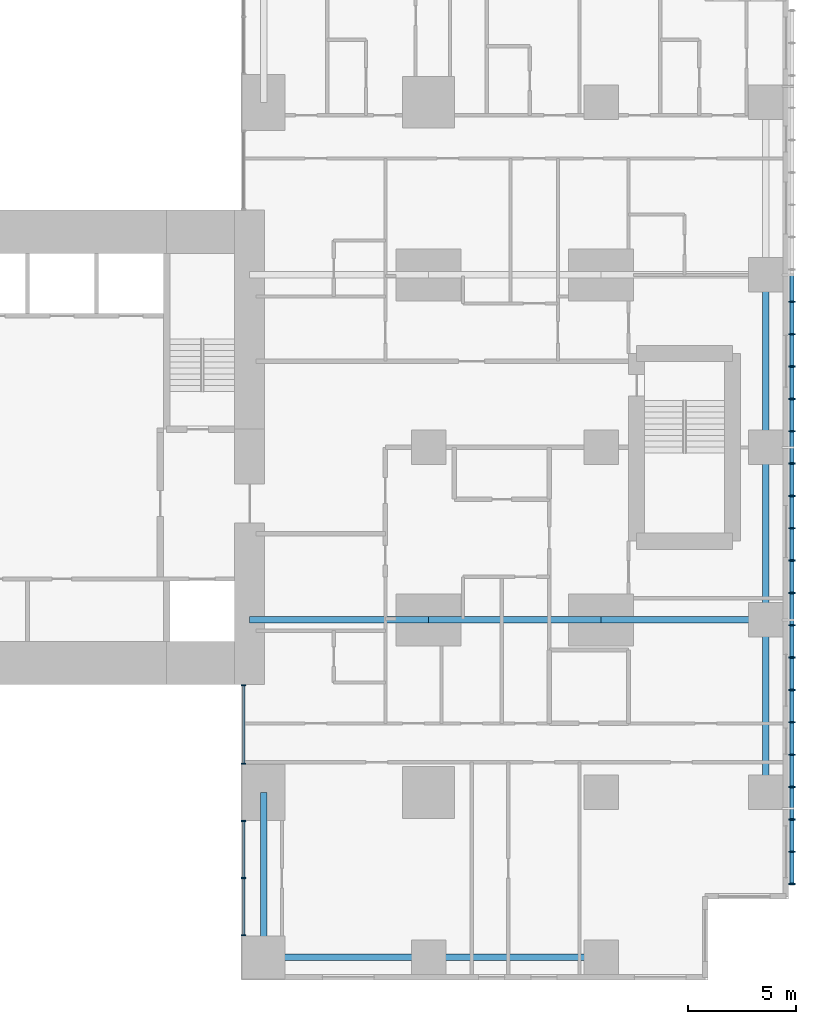
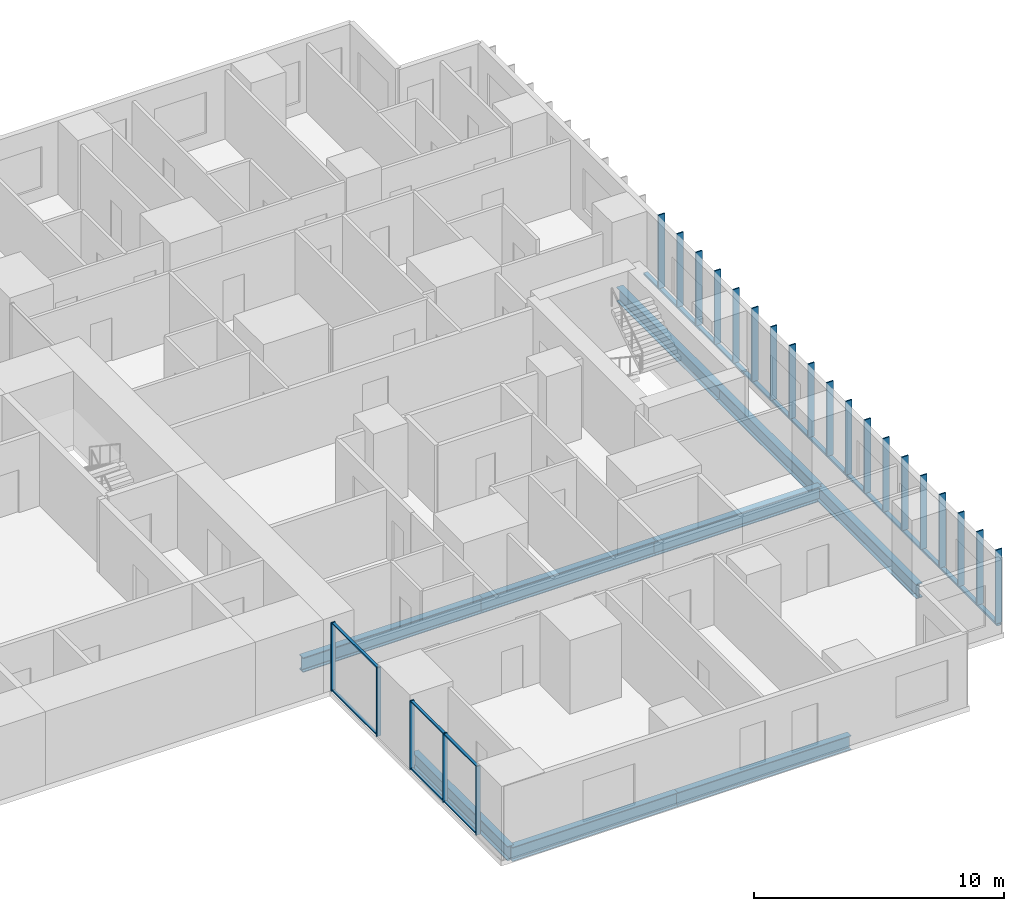
# One storey, part 2 of 12: 33 members, 9 beams, 2 elements without a shape of their own.
"""IFC4 building model written with IfcOpenShell, lengths in metres."""

from ifc_helpers import new_model, si_unit, direction, frame, origin, origin_2d, place, context, subcontext, project, spatial, rectangle, hollow_rectangle, i_section, extrude, material, layer, layer_set, material_profile, profile_set, type_object, element, aggregate, save


model = new_model("IFC4")

# Units and contexts
model_context = context("Model", 3, precision=1e-05, world=origin(), true_north=direction((0.0, 1.0)))
body_context = subcontext(model_context, "Body", "Model", "MODEL_VIEW")
ifc_project = project(units=[si_unit("LENGTHUNIT", "METRE"), si_unit("AREAUNIT", "SQUARE_METRE"), si_unit("VOLUMEUNIT", "CUBIC_METRE"), si_unit("PLANEANGLEUNIT", "RADIAN"), si_unit("MASSUNIT", "GRAM", prefix="KILO")], contexts=[model_context])

# Site, building, storey
site_placement = place(None, origin())
site = spatial("IfcSite", under=ifc_project, at=site_placement, CompositionType="ELEMENT")
building_placement = place(site_placement, origin())
building = spatial("IfcBuilding", under=site, at=building_placement, Name="Cleftline Residences", CompositionType="ELEMENT")
storey_placement = place(building_placement, frame((0.0, 0.0, 259.199951171875)))
storey = spatial("IfcBuildingStorey", under=building, at=storey_placement, Name="L68", CompositionType="ELEMENT", Elevation=259.199951171875)

# Members
ifc_material_1 = material(Name="Steel S355, hot-dip galvanised", Category="steel")
ifc_material_profile_1 = material_profile(ifc_material_1, hollow_rectangle(XDim=0.10009765625, YDim=0.199951171875, WallThickness=0.008056640625, InnerFilletRadius=0.008056640625, OuterFilletRadius=0.011962890625, at=origin_2d()))
ifc_profile_set_1 = profile_set([ifc_material_profile_1], Name="Steel S355, hot-dip galvanised")
member_type_1 = type_object("IfcMemberType", Name="BAGUETTE CARRIER RHS 200X100X8", PredefinedType="USERDEFINED", material=ifc_profile_set_1)
member_1_placement = place(storey_placement, frame((66.85009765625, 3.699951171875, -0.050048828125), z_axis=(0.0, 1.0, 0.0), x_axis=(0.0, 0.0, 1.0)))
element("IfcMember", 1, at=member_1_placement, inside=storey, type_object=member_type_1, Name="Baguette carrier", ObjectType="BAGUETTE CARRIER", PredefinedType="USERDEFINED", context=body_context, shape_type="SweptSolid", body=[
    extrude(hollow_rectangle(XDim=0.10009765625, YDim=0.199951171875, WallThickness=0.008056640625, InnerFilletRadius=0.008056640625, OuterFilletRadius=0.011962890625, at=origin_2d()), origin(), (0.0, 0.0, 1.0), 12.300048828125),
])
for number, where, z_axis, x_axis, name in (
    (2, (66.85009765625, 16.0, -0.050048828125), (0.0, 1.0, 0.0), (0.0, 0.0, 1.0), "Baguette carrier"),
    (3, (66.85009765625, 24.0, -0.050048828125), (0.0, 1.0, 0.0), (0.0, 0.0, 1.0), "Baguette carrier"),
):
    element("IfcMember", number, at=place(storey_placement, frame(where, z_axis=z_axis, x_axis=x_axis)), inside=storey, type_object=member_type_1, Name=name, ObjectType="BAGUETTE CARRIER", PredefinedType="USERDEFINED", context=body_context, shape_type="SweptSolid", body=[
        extrude(hollow_rectangle(XDim=0.10009765625, YDim=0.199951171875, WallThickness=0.008056640625, InnerFilletRadius=0.008056640625, OuterFilletRadius=0.011962890625, at=origin_2d()), origin(), (0.0, 0.0, 1.0), 8.0),
    ])

# Beams
ifc_material_2 = material(Name="Steel S355", Category="steel")
ifc_material_profile_2 = material_profile(ifc_material_2, i_section(OverallWidth=0.300048828125, OverallDepth=0.699951171875, WebThickness=0.01708984375, FlangeThickness=0.031982421875, FilletRadius=0.027099609375, at=origin_2d()))
ifc_profile_set_2 = profile_set([ifc_material_profile_2], Name="Steel S355")
beam_type_1 = type_object("IfcBeamType", Name="BEAM HEB 700", PredefinedType="BEAM", material=ifc_profile_set_2)
for number, where, z_axis, x_axis, name in (
    (4, (65.64990234375, 8.0, -0.599853515625), (0.0, 1.0, 0.0), (-1.0, 0.0, 0.0), "Edge beam"),
    (5, (65.64990234375, 16.0, -0.599853515625), (0.0, 1.0, 0.0), (-1.0, 0.0, 0.0), "Edge beam"),
    (6, (65.64990234375, 24.0, -0.599853515625), (0.0, 1.0, 0.0), (-1.0, 0.0, 0.0), "Edge beam"),
    (7, (58.0, 0.35009765625, -0.599853515625), (-1.0, 0.0, 0.0), (0.0, -1.0, 0.0), "Edge beam"),
):
    element("IfcBeam", number, at=place(storey_placement, frame(where, z_axis=z_axis, x_axis=x_axis)), inside=storey, type_object=beam_type_1, Name=name, PredefinedType="BEAM", context=body_context, shape_type="SweptSolid", body=[
        extrude(i_section(OverallWidth=0.300048828125, OverallDepth=0.699951171875, WebThickness=0.01708984375, FlangeThickness=0.031982421875, FilletRadius=0.027099609375, at=origin_2d()), origin(), (0.0, 0.0, 1.0), 8.0),
    ])
for number, where, z_axis, x_axis, name in (
    (8, (50.0, 0.35009765625, -0.599853515625), (-1.0, 0.0, 0.0), (0.0, -1.0, 0.0), "Edge beam"),
    (9, (42.35009765625, 0.35009765625, -0.599853515625), (0.0, 1.0, 0.0), (-1.0, 0.0, 0.0), "Edge beam"),
):
    element("IfcBeam", number, at=place(storey_placement, frame(where, z_axis=z_axis, x_axis=x_axis)), inside=storey, type_object=beam_type_1, Name=name, PredefinedType="BEAM", context=body_context, shape_type="SweptSolid", body=[
        extrude(i_section(OverallWidth=0.300048828125, OverallDepth=0.699951171875, WebThickness=0.01708984375, FlangeThickness=0.031982421875, FilletRadius=0.027099609375, at=origin_2d()), origin(), (0.0, 0.0, 1.0), 7.64990234375),
    ])
ifc_material_3 = material(Name="Steel S355", Category="steel")
ifc_material_profile_3 = material_profile(ifc_material_3, i_section(OverallWidth=0.303955078125, OverallDepth=0.716064453125, WebThickness=0.02099609375, FlangeThickness=0.0400390625, FilletRadius=0.027099609375, at=origin_2d()))
ifc_profile_set_3 = profile_set([ifc_material_profile_3], Name="Steel S355")
beam_type_2 = type_object("IfcBeamType", Name="BEAM HEM 700", PredefinedType="BEAM", material=ifc_profile_set_3)
beam_1_placement = place(storey_placement, frame((65.64990234375, 16.0, -0.60791015625), z_axis=(-1.0, 0.0, 0.0), x_axis=(0.0, -1.0, 0.0)))
element("IfcBeam", 10, at=beam_1_placement, inside=storey, type_object=beam_type_2, Name="Band beam", PredefinedType="BEAM", context=body_context, shape_type="SweptSolid", body=[
    extrude(i_section(OverallWidth=0.303955078125, OverallDepth=0.716064453125, WebThickness=0.02099609375, FlangeThickness=0.0400390625, FilletRadius=0.027099609375, at=origin_2d()), origin(), (0.0, 0.0, 1.0), 7.64990234375),
])
beam_2_placement = place(storey_placement, frame((58.0, 16.0, -0.60791015625), z_axis=(-1.0, 0.0, 0.0), x_axis=(0.0, -1.0, 0.0)))
element("IfcBeam", 11, at=beam_2_placement, inside=storey, type_object=beam_type_2, Name="Band beam", PredefinedType="BEAM", context=body_context, shape_type="SweptSolid", body=[
    extrude(i_section(OverallWidth=0.303955078125, OverallDepth=0.716064453125, WebThickness=0.02099609375, FlangeThickness=0.0400390625, FilletRadius=0.027099609375, at=origin_2d()), origin(), (0.0, 0.0, 1.0), 8.0),
])
beam_3_placement = place(storey_placement, frame((50.0, 16.0, -0.60791015625), z_axis=(-1.0, 0.0, 0.0), x_axis=(0.0, -1.0, 0.0)))
element("IfcBeam", 12, at=beam_3_placement, inside=storey, type_object=beam_type_2, Name="Band beam", PredefinedType="BEAM", context=body_context, shape_type="SweptSolid", body=[
    extrude(i_section(OverallWidth=0.303955078125, OverallDepth=0.716064453125, WebThickness=0.02099609375, FlangeThickness=0.0400390625, FilletRadius=0.027099609375, at=origin_2d()), origin(), (0.0, 0.0, 1.0), 8.300048828125),
])

# Curtain wall, members
ifc_material_4 = material(Name="Aluminium framed curtain wall", Category="aluminium")
ifc_layer = layer(ifc_material_4, 0.199951171875)
ifc_layer_set = layer_set([ifc_layer], Name="CW1 CLEFT GLAZING")
curtain_wall_type = type_object("IfcCurtainWallType", Name="CW1 CLEFT GLAZING", PredefinedType="NOTDEFINED", material=ifc_layer_set)
curtain_wall_1_placement = place(storey_placement, origin())
curtain_wall_1 = element("IfcCurtainWall", 13, at=curtain_wall_1_placement, inside=storey, type_object=curtain_wall_type, Name="Curtain wall CW1", PredefinedType="NOTDEFINED")
ifc_material_5 = material(Name="Aluminium mullion", Category="aluminium")
ifc_material_profile_4 = material_profile(ifc_material_5, rectangle(XDim=0.199951171875, YDim=0.06005859375, at=origin_2d()))
ifc_profile_set_4 = profile_set([ifc_material_profile_4], Name="Aluminium mullion")
member_type_2 = type_object("IfcMemberType", Name="CW1 MULLION", PredefinedType="MULLION", material=ifc_profile_set_4)
member_2_placement = place(storey_placement, frame((41.425048828125, 12.969970703125, 0.0), z_axis=(0.0, 0.0, 1.0), x_axis=(1.0, 0.0, 0.0)))
member_2 = element("IfcMember", 14, at=member_2_placement, type_object=member_type_2, Name="CW1 mullion 1", PredefinedType="MULLION", context=body_context, shape_type="SweptSolid", body=[
    extrude(rectangle(XDim=0.199951171875, YDim=0.06005859375, at=origin_2d()), origin(), (0.0, 0.0, 1.0), 3.35009765625),
])
member_3_placement = place(storey_placement, frame((41.425048828125, 9.330078125, 0.0), z_axis=(0.0, 0.0, 1.0), x_axis=(1.0, 0.0, 0.0)))
member_3 = element("IfcMember", 15, at=member_3_placement, type_object=member_type_2, Name="CW1 mullion 2", PredefinedType="MULLION", context=body_context, shape_type="SweptSolid", body=[
    extrude(rectangle(XDim=0.199951171875, YDim=0.06005859375, at=origin_2d()), origin(), (0.0, 0.0, 1.0), 3.35009765625),
])

curtain_wall_2_placement = place(storey_placement, origin())
curtain_wall_2 = element("IfcCurtainWall", 16, at=curtain_wall_2_placement, inside=storey, type_object=curtain_wall_type, Name="Curtain wall CW1", PredefinedType="NOTDEFINED")
member_4_placement = place(storey_placement, frame((41.425048828125, 6.669921875, 0.0), z_axis=(0.0, 0.0, 1.0), x_axis=(1.0, 0.0, 0.0)))
member_4 = element("IfcMember", 17, at=member_4_placement, type_object=member_type_2, Name="CW1 mullion 1", PredefinedType="MULLION", context=body_context, shape_type="SweptSolid", body=[
    extrude(rectangle(XDim=0.199951171875, YDim=0.06005859375, at=origin_2d()), origin(), (0.0, 0.0, 1.0), 3.35009765625),
])
member_5_placement = place(storey_placement, frame((41.425048828125, 4.02490234375, 0.0), z_axis=(0.0, 0.0, 1.0), x_axis=(1.0, 0.0, 0.0)))
member_5 = element("IfcMember", 18, at=member_5_placement, type_object=member_type_2, Name="CW1 mullion 2", PredefinedType="MULLION", context=body_context, shape_type="SweptSolid", body=[
    extrude(rectangle(XDim=0.199951171875, YDim=0.06005859375, at=origin_2d()), origin(), (0.0, 0.0, 1.0), 3.35009765625),
])
member_6_placement = place(storey_placement, frame((41.425048828125, 1.3798828125, 0.0), z_axis=(0.0, 0.0, 1.0), x_axis=(1.0, 0.0, 0.0)))
member_6 = element("IfcMember", 19, at=member_6_placement, type_object=member_type_2, Name="CW1 mullion 3", PredefinedType="MULLION", context=body_context, shape_type="SweptSolid", body=[
    extrude(rectangle(XDim=0.199951171875, YDim=0.06005859375, at=origin_2d()), origin(), (0.0, 0.0, 1.0), 3.35009765625),
])

# Member
ifc_material_6 = material(Name="Aluminium transom", Category="aluminium")
ifc_material_profile_5 = material_profile(ifc_material_6, rectangle(XDim=0.1201171875, YDim=0.06005859375, at=origin_2d()))
ifc_profile_set_5 = profile_set([ifc_material_profile_5], Name="Aluminium transom")
member_type_3 = type_object("IfcMemberType", Name="CW1 TRANSOM", PredefinedType="USERDEFINED", material=ifc_profile_set_5)
member_7_placement = place(storey_placement, frame((41.425048828125, 12.93994140625, 0.030029296875), z_axis=(0.0, -1.0, 0.0), x_axis=(1.0, 0.0, 0.0)))
member_7 = element("IfcMember", 20, at=member_7_placement, type_object=member_type_3, Name="CW1 transom 1.1", ObjectType="TRANSOM", PredefinedType="USERDEFINED", context=body_context, shape_type="SweptSolid", body=[
    extrude(rectangle(XDim=0.1201171875, YDim=0.06005859375, at=origin_2d()), origin(), (0.0, 0.0, 1.0), 3.579833984375),
])

member_8_placement = place(storey_placement, frame((41.425048828125, 12.93994140625, 3.320068359375), z_axis=(0.0, -1.0, 0.0), x_axis=(1.0, 0.0, 0.0)))
member_8 = element("IfcMember", 21, at=member_8_placement, type_object=member_type_3, Name="CW1 transom 1.2", ObjectType="TRANSOM", PredefinedType="USERDEFINED", context=body_context, shape_type="SweptSolid", body=[
    extrude(rectangle(XDim=0.1201171875, YDim=0.06005859375, at=origin_2d()), origin(), (0.0, 0.0, 1.0), 3.579833984375),
])

aggregate(curtain_wall_1, [member_2, member_3, member_7, member_8])

member_9_placement = place(storey_placement, frame((41.425048828125, 6.639892578125, 0.030029296875), z_axis=(0.0, -1.0, 0.0), x_axis=(1.0, 0.0, 0.0)))
member_9 = element("IfcMember", 22, at=member_9_placement, type_object=member_type_3, Name="CW1 transom 1.1", ObjectType="TRANSOM", PredefinedType="USERDEFINED", context=body_context, shape_type="SweptSolid", body=[
    extrude(rectangle(XDim=0.1201171875, YDim=0.06005859375, at=origin_2d()), origin(), (0.0, 0.0, 1.0), 2.5849609375),
])

member_10_placement = place(storey_placement, frame((41.425048828125, 6.639892578125, 3.320068359375), z_axis=(0.0, -1.0, 0.0), x_axis=(1.0, 0.0, 0.0)))
member_10 = element("IfcMember", 23, at=member_10_placement, type_object=member_type_3, Name="CW1 transom 1.2", ObjectType="TRANSOM", PredefinedType="USERDEFINED", context=body_context, shape_type="SweptSolid", body=[
    extrude(rectangle(XDim=0.1201171875, YDim=0.06005859375, at=origin_2d()), origin(), (0.0, 0.0, 1.0), 2.5849609375),
])

member_11_placement = place(storey_placement, frame((41.425048828125, 3.9951171875, 0.030029296875), z_axis=(0.0, -1.0, 0.0), x_axis=(1.0, 0.0, 0.0)))
member_11 = element("IfcMember", 24, at=member_11_placement, type_object=member_type_3, Name="CW1 transom 2.1", ObjectType="TRANSOM", PredefinedType="USERDEFINED", context=body_context, shape_type="SweptSolid", body=[
    extrude(rectangle(XDim=0.1201171875, YDim=0.06005859375, at=origin_2d()), origin(), (0.0, 0.0, 1.0), 2.585205078125),
])

member_12_placement = place(storey_placement, frame((41.425048828125, 3.9951171875, 3.320068359375), z_axis=(0.0, -1.0, 0.0), x_axis=(1.0, 0.0, 0.0)))
member_12 = element("IfcMember", 25, at=member_12_placement, type_object=member_type_3, Name="CW1 transom 2.2", ObjectType="TRANSOM", PredefinedType="USERDEFINED", context=body_context, shape_type="SweptSolid", body=[
    extrude(rectangle(XDim=0.1201171875, YDim=0.06005859375, at=origin_2d()), origin(), (0.0, 0.0, 1.0), 2.585205078125),
])

aggregate(curtain_wall_2, [member_4, member_5, member_6, member_9, member_10, member_11, member_12])

# Members
ifc_material_7 = material(Name="Extruded terracotta", Category="masonry")
ifc_material_profile_6 = material_profile(ifc_material_7, rectangle(XDim=0.06005859375, YDim=0.300048828125, at=origin_2d()))
ifc_profile_set_6 = profile_set([ifc_material_profile_6], Name="Extruded terracotta")
member_type_4 = type_object("IfcMemberType", Name="TERRACOTTA BAGUETTE 60X300", PredefinedType="USERDEFINED", material=ifc_profile_set_6)
for number, where, z_axis, x_axis, name in (
    (26, (66.85009765625, 3.75, 0.0), (0.0, 0.0, 1.0), (0.0, 1.0, 0.0), "Terracotta baguette"),
    (27, (66.85009765625, 5.25, 0.0), (0.0, 0.0, 1.0), (0.0, 1.0, 0.0), "Terracotta baguette"),
    (28, (66.85009765625, 6.75, 0.0), (0.0, 0.0, 1.0), (0.0, 1.0, 0.0), "Terracotta baguette"),
    (29, (66.85009765625, 8.25, 0.0), (0.0, 0.0, 1.0), (0.0, 1.0, 0.0), "Terracotta baguette"),
    (30, (66.85009765625, 9.75, 0.0), (0.0, 0.0, 1.0), (0.0, 1.0, 0.0), "Terracotta baguette"),
    (31, (66.85009765625, 11.25, 0.0), (0.0, 0.0, 1.0), (0.0, 1.0, 0.0), "Terracotta baguette"),
    (32, (66.85009765625, 12.75, 0.0), (0.0, 0.0, 1.0), (0.0, 1.0, 0.0), "Terracotta baguette"),
    (33, (66.85009765625, 14.25, 0.0), (0.0, 0.0, 1.0), (0.0, 1.0, 0.0), "Terracotta baguette"),
    (34, (66.85009765625, 15.75, 0.0), (0.0, 0.0, 1.0), (0.0, 1.0, 0.0), "Terracotta baguette"),
    (35, (66.85009765625, 17.25, 0.0), (0.0, 0.0, 1.0), (0.0, 1.0, 0.0), "Terracotta baguette"),
    (36, (66.85009765625, 18.75, 0.0), (0.0, 0.0, 1.0), (0.0, 1.0, 0.0), "Terracotta baguette"),
    (37, (66.85009765625, 20.25, 0.0), (0.0, 0.0, 1.0), (0.0, 1.0, 0.0), "Terracotta baguette"),
    (38, (66.85009765625, 21.75, 0.0), (0.0, 0.0, 1.0), (0.0, 1.0, 0.0), "Terracotta baguette"),
    (39, (66.85009765625, 23.25, 0.0), (0.0, 0.0, 1.0), (0.0, 1.0, 0.0), "Terracotta baguette"),
    (40, (66.85009765625, 24.75, 0.0), (0.0, 0.0, 1.0), (0.0, 1.0, 0.0), "Terracotta baguette"),
    (41, (66.85009765625, 26.25, 0.0), (0.0, 0.0, 1.0), (0.0, 1.0, 0.0), "Terracotta baguette"),
    (42, (66.85009765625, 27.75, 0.0), (0.0, 0.0, 1.0), (0.0, 1.0, 0.0), "Terracotta baguette"),
    (43, (66.85009765625, 29.25, 0.0), (0.0, 0.0, 1.0), (0.0, 1.0, 0.0), "Terracotta baguette"),
    (44, (66.85009765625, 30.75, 0.0), (0.0, 0.0, 1.0), (0.0, 1.0, 0.0), "Terracotta baguette"),
):
    element("IfcMember", number, at=place(storey_placement, frame(where, z_axis=z_axis, x_axis=x_axis)), inside=storey, type_object=member_type_4, Name=name, ObjectType="BAGUETTE", PredefinedType="USERDEFINED", context=body_context, shape_type="SweptSolid", body=[
        extrude(rectangle(XDim=0.06005859375, YDim=0.300048828125, at=origin_2d()), origin(), (0.0, 0.0, 1.0), 3.60009765625),
    ])

save(model, "model.ifc")
